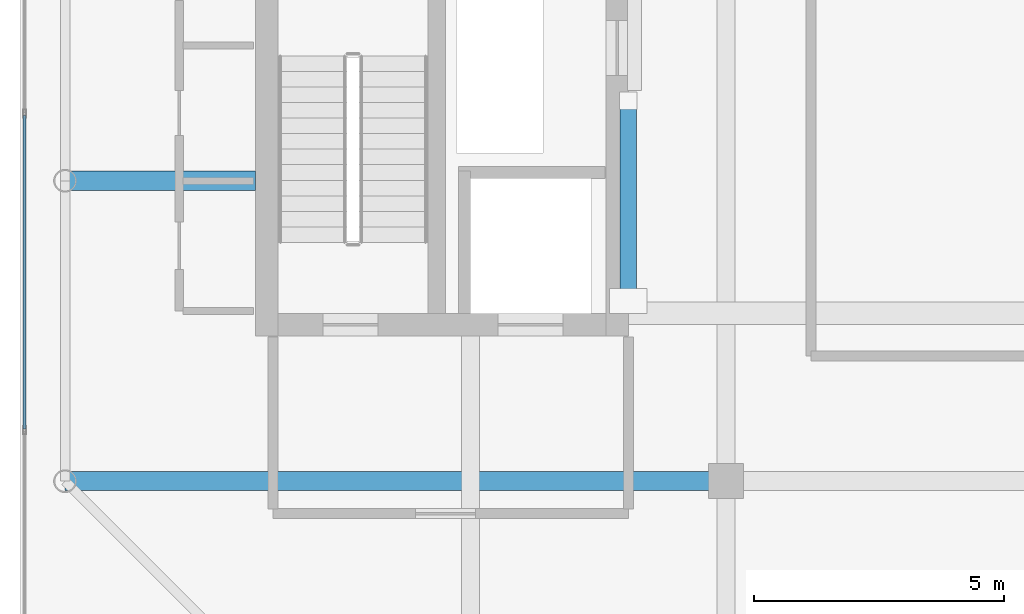
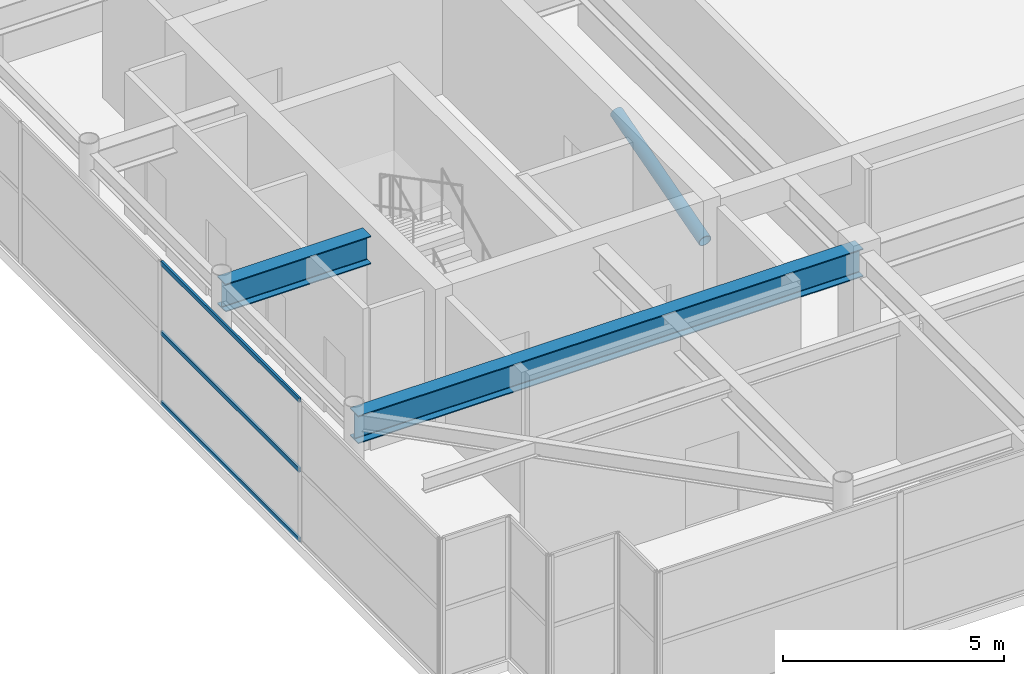
# One storey, part 6 of 33: 4 members, 2 beams, 1 element without a shape of its own.
"""IFC4 building model written with IfcOpenShell, lengths in metres."""

from ifc_helpers import new_model, si_unit, direction, frame, origin, origin_2d, place, context, subcontext, project, spatial, hollow_rectangle, hollow_circle, i_section, extrude, source, transform, mapped, material, layer, layer_set, material_profile, profile_set, type_object, element, aggregate, save


model = new_model("IFC4")

# Units and contexts
model_context = context("Model", 3, precision=1e-05, world=origin(), true_north=direction((0.0, 1.0)))
body_context = subcontext(model_context, "Body", "Model", "MODEL_VIEW")
ifc_project = project(units=[si_unit("LENGTHUNIT", "METRE"), si_unit("AREAUNIT", "SQUARE_METRE"), si_unit("VOLUMEUNIT", "CUBIC_METRE"), si_unit("PLANEANGLEUNIT", "RADIAN"), si_unit("MASSUNIT", "GRAM", prefix="KILO")], contexts=[model_context])

# Site, building, storey
site_placement = place(None, origin())
site = spatial("IfcSite", under=ifc_project, at=site_placement, CompositionType="ELEMENT")
building_placement = place(site_placement, origin())
building = spatial("IfcBuilding", under=site, at=building_placement, Name="Khoralis Quay Care Tower", CompositionType="ELEMENT")
storey_placement = place(building_placement, frame((0.0, 0.0, 302.10009765625)))
storey = spatial("IfcBuildingStorey", under=building, at=storey_placement, Name="L79", CompositionType="ELEMENT", Elevation=302.10009765625)

# Beams
ifc_material_1 = material(Name="Steel S355", Category="steel")
ifc_material_profile_1 = material_profile(ifc_material_1, i_section(OverallWidth=0.381103515625, OverallDepth=0.77294921875, WebThickness=0.0166015625, FlangeThickness=0.027587890625, FilletRadius=0.02197265625, at=origin_2d()), Name="Steel S355")
ifc_profile_set_1 = profile_set([ifc_material_profile_1], Name="Steel S355")
beam_type = type_object("IfcBeamType", Name="BM-W760X257", PredefinedType="BEAM", material=ifc_profile_set_1)
shared_shape_1 = source(origin(), body_context, "Body", "SweptSolid", [
    extrude(i_section(OverallWidth=0.381103515625, OverallDepth=0.77294921875, WebThickness=0.0166015625, FlangeThickness=0.027587890625, FilletRadius=0.02197265625, at=origin_2d()), origin(), (0.0, 0.0, 1.0), 13.2001953125),
])
beam_1_placement = place(storey_placement, frame((3.89990234375, 12.0, 3.533447265625), z_axis=(1.0, 0.0, 0.0), x_axis=(0.0, 1.0, 0.0)))
element("IfcBeam", 1, at=beam_1_placement, inside=storey, type_object=beam_type, Name="BM-TGXW-L79-120", PredefinedType="BEAM", context=body_context, shape_type="MappedRepresentation", body=[
    mapped(shared_shape_1, transform((0.0, 0.0, 0.0), scale=1.0)),
])
shared_shape_2 = source(origin(), body_context, "Body", "SweptSolid", [
    extrude(i_section(OverallWidth=0.381103515625, OverallDepth=0.77294921875, WebThickness=0.0166015625, FlangeThickness=0.027587890625, FilletRadius=0.02197265625, at=origin_2d()), origin(), (0.0, 0.0, 1.0), 3.802001953125),
])
beam_2_placement = place(storey_placement, frame((3.89990234375, 18.0, 3.533447265625), z_axis=(1.0, 0.0, 0.0), x_axis=(0.0, 1.0, 0.0)))
element("IfcBeam", 2, at=beam_2_placement, inside=storey, type_object=beam_type, Name="BM-TGXW-L79-180", PredefinedType="BEAM", context=body_context, shape_type="MappedRepresentation", body=[
    mapped(shared_shape_2, transform((0.0, 0.0, 0.0), scale=1.0)),
])

# Member
ifc_material_profile_2 = material_profile(ifc_material_1, hollow_circle(Radius=0.161865234375, WallThickness=0.01611328125, at=origin_2d()), Name="Steel S355")
ifc_profile_set_2 = profile_set([ifc_material_profile_2], Name="Steel S355")
member_type_1 = type_object("IfcMemberType", Name="ST-CHS323X16", PredefinedType="STRUT", material=ifc_profile_set_2)
shared_shape_3 = source(origin(), body_context, "Body", "SweptSolid", [
    extrude(hollow_circle(Radius=0.161865234375, WallThickness=0.01611328125, at=origin_2d()), origin(), (0.0, 0.0, 1.0), 4.156494140625),
])
member_1_placement = place(storey_placement, frame((15.14794921875, 15.60009765625, 2.52001953125), z_axis=(0.0, 0.962344148942, 0.2718340284), x_axis=(-1.0, 0.0, 0.0)))
element("IfcMember", 3, at=member_1_placement, inside=storey, type_object=member_type_1, Name="L79 Lantern Diagrid Strut 1", PredefinedType="STRUT", context=body_context, shape_type="MappedRepresentation", body=[
    mapped(shared_shape_3, transform((0.0, 0.0, 0.0), scale=1.0)),
])

# Curtain wall, members
ifc_material_2 = material(Name="Pale anodised aluminium", Category="aluminium")
ifc_layer = layer(ifc_material_2, 0.199951171875)
ifc_layer_set = layer_set([ifc_layer], Name="Pale anodised aluminium")
curtain_wall_type = type_object("IfcCurtainWallType", Name="CW-SYS-LANTERN", PredefinedType="NOTDEFINED", material=ifc_layer_set)
curtain_wall_placement = place(storey_placement, origin())
curtain_wall = element("IfcCurtainWall", 4, at=curtain_wall_placement, inside=storey, type_object=curtain_wall_type, Name="L79 Unitised Curtain Wall CW-LN-L79-16", PredefinedType="NOTDEFINED")
ifc_material_profile_3 = material_profile(ifc_material_2, hollow_rectangle(XDim=0.054931640625, YDim=0.1201171875, WallThickness=0.00390625, at=origin_2d()), Name="Pale anodised aluminium")
ifc_profile_set_3 = profile_set([ifc_material_profile_3], Name="Pale anodised aluminium")
member_type_2 = type_object("IfcMemberType", Name="CW-TRN-120", PredefinedType="USERDEFINED", material=ifc_profile_set_3)
shared_shape_4 = source(origin(), body_context, "Body", "SweptSolid", [
    extrude(hollow_rectangle(XDim=0.054931640625, YDim=0.1201171875, WallThickness=0.00390625, at=origin_2d()), origin(), (0.0, 0.0, 1.0), 6.26416015625),
])
member_2_placement = place(storey_placement, frame((3.090087890625, 19.30810546875, 0.02978515625), z_axis=(0.0, -1.0, 0.0), x_axis=(1.0, 0.0, 0.0)))
member_2 = element("IfcMember", 5, at=member_2_placement, type_object=member_type_2, Name="CW5 transom 4.1", ObjectType="TRANSOM", PredefinedType="USERDEFINED", context=body_context, shape_type="MappedRepresentation", body=[
    mapped(shared_shape_4, transform((0.0, 0.0, 0.0), scale=1.0)),
])
member_3_placement = place(storey_placement, frame((3.090087890625, 19.30810546875, 1.9599609375), z_axis=(0.0, -1.0, 0.0), x_axis=(1.0, 0.0, 0.0)))
member_3 = element("IfcMember", 6, at=member_3_placement, type_object=member_type_2, Name="CW5 transom 4.2", ObjectType="TRANSOM", PredefinedType="USERDEFINED", context=body_context, shape_type="MappedRepresentation", body=[
    mapped(shared_shape_4, transform((0.0, 0.0, 0.0), scale=1.0)),
])
member_4_placement = place(storey_placement, frame((3.090087890625, 19.30810546875, 3.889892578125), z_axis=(0.0, -1.0, 0.0), x_axis=(1.0, 0.0, 0.0)))
member_4 = element("IfcMember", 7, at=member_4_placement, type_object=member_type_2, Name="CW5 transom 4.3", ObjectType="TRANSOM", PredefinedType="USERDEFINED", context=body_context, shape_type="MappedRepresentation", body=[
    mapped(shared_shape_4, transform((0.0, 0.0, 0.0), scale=1.0)),
])
aggregate(curtain_wall, [member_2, member_3, member_4])

save(model, "model.ifc")
